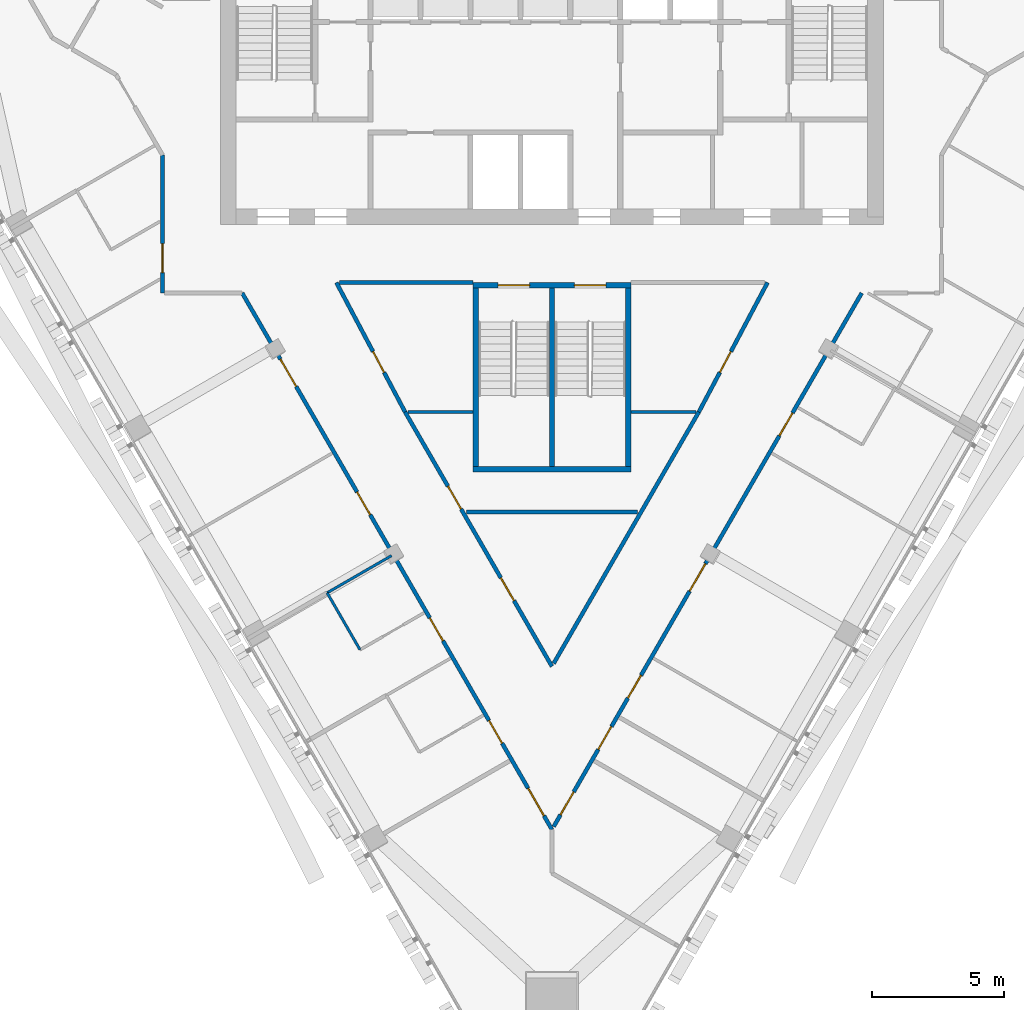
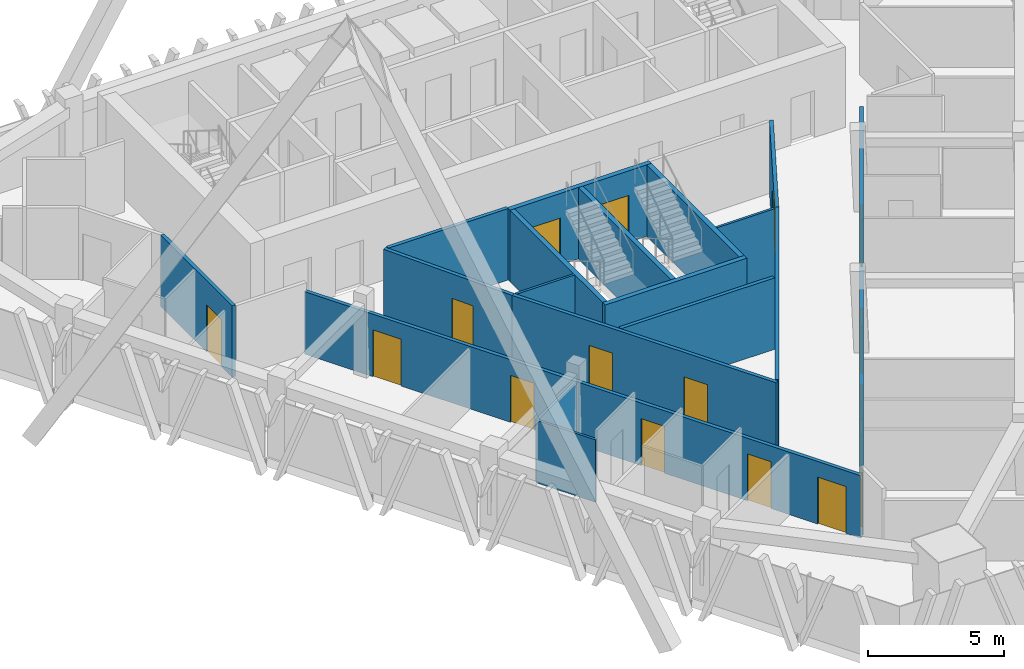
# One storey, part 16 of 22: 18 walls, 17 doors, 17 openings.
"""IFC4 building model written with IfcOpenShell, lengths in metres."""

from ifc_helpers import new_model, si_unit, direction, frame, frame_2d, origin, place, context, subcontext, project, spatial, rectangle, extrude, material, layer, layer_set, type_object, element, fill, save


model = new_model("IFC4")

# Units and contexts
model_context = context("Model", 3, precision=1e-05, world=origin(), true_north=direction((0.0, 1.0)))
body_context = subcontext(model_context, "Body", "Model", "MODEL_VIEW")
ifc_project = project(units=[si_unit("LENGTHUNIT", "METRE"), si_unit("AREAUNIT", "SQUARE_METRE"), si_unit("VOLUMEUNIT", "CUBIC_METRE"), si_unit("PLANEANGLEUNIT", "RADIAN"), si_unit("MASSUNIT", "GRAM", prefix="KILO")], contexts=[model_context])

# Site, building, storey
site_placement = place(None, origin())
site = spatial("IfcSite", under=ifc_project, at=site_placement, CompositionType="ELEMENT")
building_placement = place(site_placement, origin())
building = spatial("IfcBuilding", under=site, at=building_placement, Name="Altiplano Prism Tower", CompositionType="ELEMENT")
storey_placement = place(building_placement, frame((0.0, 0.0, 219.39990234375)))
storey = spatial("IfcBuildingStorey", under=building, at=storey_placement, Name="L56", CompositionType="ELEMENT", Elevation=219.39990234375)

# Walls
ifc_material_1 = material(Name="Plasterboard on steel stud", Category="steel")
ifc_layer_1 = layer(ifc_material_1, 0.10009765625)
ifc_layer_set_1 = layer_set([ifc_layer_1], Name="Plasterboard on steel stud")
wall_type_1 = type_object("IfcWallType", Name="Partition 100 unit", PredefinedType="PARTITIONING", material=ifc_layer_set_1)
wall_1_placement = place(storey_placement, frame((77.7060546875, 76.642333984375, 0.0), z_axis=(0.0, 0.0, 1.0), x_axis=(-0.500004234368, 0.866022959057, 0.0)))
element("IfcWall", 1, at=wall_1_placement, inside=storey, type_object=wall_type_1, Name="Partition P02 L56 036", PredefinedType="PARTITIONING", context=body_context, shape_type="SweptSolid", body=[
    extrude(rectangle(XDim=2.5, YDim=0.10009765625, at=frame_2d((1.25, 0.0))), origin(), (0.0, 0.0, 1.0), 2.800048828125),
])
ifc_layer_2 = layer(ifc_material_1, 0.10009765625)
ifc_layer_set_2 = layer_set([ifc_layer_2], Name="Plasterboard on steel stud")
wall_type_2 = type_object("IfcWallType", Name="Partition 100 wet", PredefinedType="PARTITIONING", material=ifc_layer_set_2)
for number, where, z_axis, x_axis, name in (
    (2, (79.5341796875, 85.67822265625, 0.0), (0.0, 0.0, 1.0), (1.0, 0.0, 0.0), "Partition P03 L56 022"),
    (3, (88.0, 85.67822265625, 0.0), (0.0, 0.0, 1.0), (1.0, 0.0, 0.0), "Partition P03 L56 023"),
):
    element("IfcWall", number, at=place(storey_placement, frame(where, z_axis=z_axis, x_axis=x_axis)), inside=storey, type_object=wall_type_2, Name=name, PredefinedType="PARTITIONING", context=body_context, shape_type="SweptSolid", body=[
        extrude(rectangle(XDim=2.4658203125, YDim=0.10009765625, at=frame_2d((1.23291015625, 0.0))), origin(), (0.0, 0.0, 1.0), 3.2001953125),
    ])
wall_2_placement = place(storey_placement, frame((76.4560546875, 78.807373046875, 0.0), z_axis=(0.0, 0.0, 1.0), x_axis=(0.866011447264, 0.500024172624, 0.0)))
element("IfcWall", 4, at=wall_2_placement, inside=storey, type_object=wall_type_2, Name="Partition P03 L56 034", PredefinedType="PARTITIONING", context=body_context, shape_type="SweptSolid", body=[
    extrude(rectangle(XDim=2.824951171875, YDim=0.10009765625, at=frame_2d((1.41259765625, 0.0))), origin(), (0.0, 0.0, 1.0), 2.800048828125),
])

# Wall, opening, door
ifc_layer_3 = layer(ifc_material_1, 0.14990234375)
ifc_layer_set_3 = layer_set([ifc_layer_3], Name="Plasterboard on steel stud")
wall_type_3 = type_object("IfcWallType", Name="Partition 150 corridor", PredefinedType="PARTITIONING", material=ifc_layer_set_3)
wall_3_placement = place(storey_placement, frame((79.418701171875, 85.67822265625, 0.0), z_axis=(0.0, 0.0, 1.0), x_axis=(-0.468745112337, 0.883333470248, 0.0)))
wall_3 = element("IfcWall", 5, at=wall_3_placement, inside=storey, type_object=wall_type_3, Name="Partition P06 L56 001", PredefinedType="PARTITIONING", context=body_context, shape_type="SweptSolid", body=[
    extrude(rectangle(XDim=5.572021484375, YDim=0.14990234375, at=frame_2d((2.7861328125, 0.0))), origin(), (0.0, 0.0, 1.0), 3.2001953125),
])
opening_1_placement = place(wall_3_placement, frame((1.701904296875, 0.0, 0.0)))
opening_1 = element("IfcOpeningElement", 6, at=opening_1_placement, cuts=wall_3, Name="Opening D1871", PredefinedType="OPENING", context=body_context, shape_type="SweptSolid", body=[
    extrude(rectangle(XDim=0.89990234375, YDim=2.10009765625, at=frame_2d((0.449951171875, 1.050048828125))), frame((0.0, 0.08544921875, 0.0), z_axis=(0.0, -1.0, 0.0), x_axis=(1.0, 0.0, 0.0)), (0.0, 0.0, 1.0), 0.1708984375),
])
ifc_material_2 = material(Name="Timber", Category="wood")
door_type_1 = type_object("IfcDoorType", Name="Toilet door 900 x 2100", OperationType="NOTDEFINED", PredefinedType="NOTDEFINED", material=ifc_material_2)
door_1_placement = place(opening_1_placement, origin())
door_1 = element("IfcDoor", 7, at=door_1_placement, inside=storey, type_object=door_type_1, Name="Door D1871", OperationType="SINGLE_SWING_LEFT", OverallHeight=2.10009765625, OverallWidth=0.89990234375, PredefinedType="NOTDEFINED", context=body_context, shape_type="SweptSolid", body=[
    extrude(rectangle(XDim=0.89990234375, YDim=2.10009765625, at=frame_2d((0.449951171875, 1.050048828125))), frame((0.0, 0.02490234375, 0.0), z_axis=(0.0, -1.0, 0.0), x_axis=(1.0, 0.0, 0.0)), (0.0, 0.0, 1.0), 0.050048828125),
])
fill(opening_1, door_1)

# Wall
wall_4_placement = place(storey_placement, frame((76.931640625, 90.60009765625, 0.0), z_axis=(0.0, 0.0, 1.0), x_axis=(1.0, 0.0, 0.0)))
element("IfcWall", 8, at=wall_4_placement, inside=storey, type_object=wall_type_3, Name="Partition P06 L56 002", PredefinedType="PARTITIONING", context=body_context, shape_type="SweptSolid", body=[
    extrude(rectangle(XDim=5.068359375, YDim=0.14990234375, at=frame_2d((2.5341796875, 0.0))), origin(), (0.0, 0.0, 1.0), 3.2001953125),
])

# Wall, opening, door
wall_5_placement = place(storey_placement, frame((93.193115234375, 90.60009765625, 0.0), z_axis=(0.0, 0.0, 1.0), x_axis=(-0.468745112337, -0.883333470248, 0.0)))
wall_5 = element("IfcWall", 9, at=wall_5_placement, inside=storey, type_object=wall_type_3, Name="Partition P06 L56 004", PredefinedType="PARTITIONING", context=body_context, shape_type="SweptSolid", body=[
    extrude(rectangle(XDim=5.572021484375, YDim=0.14990234375, at=frame_2d((2.7861328125, 0.0))), origin(), (0.0, 0.0, 1.0), 3.2001953125),
])
opening_2_placement = place(wall_5_placement, frame((2.968994140625, 0.0, 0.0)))
opening_2 = element("IfcOpeningElement", 10, at=opening_2_placement, cuts=wall_5, Name="Opening D1872", PredefinedType="OPENING", context=body_context, shape_type="SweptSolid", body=[
    extrude(rectangle(XDim=0.89990234375, YDim=2.10009765625, at=frame_2d((0.449951171875, 1.050048828125))), frame((0.0, 0.08544921875, 0.0), z_axis=(0.0, -1.0, 0.0), x_axis=(1.0, 0.0, 0.0)), (0.0, 0.0, 1.0), 0.1708984375),
])
door_2_placement = place(opening_2_placement, origin())
door_2 = element("IfcDoor", 11, at=door_2_placement, inside=storey, type_object=door_type_1, Name="Door D1872", OperationType="SINGLE_SWING_RIGHT", OverallHeight=2.10009765625, OverallWidth=0.89990234375, PredefinedType="NOTDEFINED", context=body_context, shape_type="SweptSolid", body=[
    extrude(rectangle(XDim=0.89990234375, YDim=2.10009765625, at=frame_2d((0.449951171875, 1.050048828125))), frame((0.0, 0.02490234375, 0.0), z_axis=(0.0, -1.0, 0.0), x_axis=(1.0, 0.0, 0.0)), (0.0, 0.0, 1.0), 0.050048828125),
])
fill(opening_2, door_2)

# Wall
wall_6_placement = place(storey_placement, frame((90.581298828125, 85.67822265625, 0.0), z_axis=(0.0, 0.0, 1.0), x_axis=(-0.499997010388, -0.866027129831, 0.0)))
element("IfcWall", 12, at=wall_6_placement, inside=storey, type_object=wall_type_3, Name="Partition P06 L56 005", PredefinedType="PARTITIONING", context=body_context, shape_type="SweptSolid", body=[
    extrude(rectangle(XDim=11.03271484375, YDim=0.14990234375, at=frame_2d((5.516357421875, 0.0))), origin(), (0.0, 0.0, 1.0), 3.2001953125),
])

# Wall, openings, doors
wall_7_placement = place(storey_placement, frame((85.0, 76.010986328125, 0.0), z_axis=(0.0, 0.0, 1.0), x_axis=(-0.499994445683, 0.866028610547, 0.0)))
wall_7 = element("IfcWall", 13, at=wall_7_placement, inside=storey, type_object=wall_type_3, Name="Partition P06 L56 006", PredefinedType="PARTITIONING", context=body_context, shape_type="SweptSolid", body=[
    extrude(rectangle(XDim=11.162841796875, YDim=0.14990234375, at=frame_2d((5.58154296875, 0.0))), origin(), (0.0, 0.0, 1.0), 3.2001953125),
])
opening_3_placement = place(wall_7_placement, frame((2.885986328125, 0.0, 0.0)))
opening_3 = element("IfcOpeningElement", 14, at=opening_3_placement, cuts=wall_7, Name="Opening D1873", PredefinedType="OPENING", context=body_context, shape_type="SweptSolid", body=[
    extrude(rectangle(XDim=1.0, YDim=2.10009765625, at=frame_2d((0.5, 1.050048828125))), frame((0.0, 0.08544921875, 0.0), z_axis=(0.0, -1.0, 0.0), x_axis=(1.0, 0.0, 0.0)), (0.0, 0.0, 1.0), 0.1708984375),
])
opening_4_placement = place(wall_7_placement, frame((6.907958984375, 0.0, 0.0)))
opening_4 = element("IfcOpeningElement", 15, at=opening_4_placement, cuts=wall_7, Name="Opening D1874", PredefinedType="OPENING", context=body_context, shape_type="SweptSolid", body=[
    extrude(rectangle(XDim=1.0, YDim=2.10009765625, at=frame_2d((0.5, 1.050048828125))), frame((0.0, 0.08544921875, 0.0), z_axis=(0.0, -1.0, 0.0), x_axis=(1.0, 0.0, 0.0)), (0.0, 0.0, 1.0), 0.1708984375),
])
door_type_2 = type_object("IfcDoorType", Name="Store door 1000 x 2100", OperationType="NOTDEFINED", PredefinedType="NOTDEFINED", material=ifc_material_2)
door_3_placement = place(opening_3_placement, origin())
door_3 = element("IfcDoor", 16, at=door_3_placement, inside=storey, type_object=door_type_2, Name="Door D1873", OperationType="SINGLE_SWING_RIGHT", OverallHeight=2.10009765625, OverallWidth=1.0, PredefinedType="NOTDEFINED", context=body_context, shape_type="SweptSolid", body=[
    extrude(rectangle(XDim=1.0, YDim=2.10009765625, at=frame_2d((0.5, 1.050048828125))), frame((0.0, 0.02490234375, 0.0), z_axis=(0.0, -1.0, 0.0), x_axis=(1.0, 0.0, 0.0)), (0.0, 0.0, 1.0), 0.050048828125),
])
fill(opening_3, door_3)
door_4_placement = place(opening_4_placement, origin())
door_4 = element("IfcDoor", 17, at=door_4_placement, inside=storey, type_object=door_type_2, Name="Door D1874", OperationType="SINGLE_SWING_RIGHT", OverallHeight=2.10009765625, OverallWidth=1.0, PredefinedType="NOTDEFINED", context=body_context, shape_type="SweptSolid", body=[
    extrude(rectangle(XDim=1.0, YDim=2.10009765625, at=frame_2d((0.5, 1.050048828125))), frame((0.0, 0.02490234375, 0.0), z_axis=(0.0, -1.0, 0.0), x_axis=(1.0, 0.0, 0.0)), (0.0, 0.0, 1.0), 0.050048828125),
])
fill(opening_4, door_4)

# Wall, opening, door
wall_8_placement = place(storey_placement, frame((70.199951171875, 95.443359375, 0.0), z_axis=(0.0, 0.0, 1.0), x_axis=(0.000139684312, -0.999999990244, 0.0)))
wall_8 = element("IfcWall", 18, at=wall_8_placement, inside=storey, type_object=wall_type_3, Name="Partition P06 L56 009", PredefinedType="PARTITIONING", context=body_context, shape_type="SweptSolid", body=[
    extrude(rectangle(XDim=5.243408203125, YDim=0.14990234375, at=frame_2d((2.62158203125, 0.0))), origin(), (0.0, 0.0, 1.0), 3.2001953125),
])
opening_5_placement = place(wall_8_placement, frame((3.364990234375, 0.0, 0.0)))
opening_5 = element("IfcOpeningElement", 19, at=opening_5_placement, cuts=wall_8, Name="Opening D1876", PredefinedType="OPENING", context=body_context, shape_type="SweptSolid", body=[
    extrude(rectangle(XDim=1.10009765625, YDim=2.10009765625, at=frame_2d((0.550048828125, 1.050048828125))), frame((0.0, 0.08544921875, 0.0), z_axis=(0.0, -1.0, 0.0), x_axis=(1.0, 0.0, 0.0)), (0.0, 0.0, 1.0), 0.1708984375),
])
door_type_3 = type_object("IfcDoorType", Name="Accessible bedroom door 1100 x 2100", OperationType="NOTDEFINED", PredefinedType="NOTDEFINED", material=ifc_material_2)
door_5_placement = place(opening_5_placement, origin())
door_5 = element("IfcDoor", 20, at=door_5_placement, inside=storey, type_object=door_type_3, Name="Door D1876", OperationType="SINGLE_SWING_LEFT", OverallHeight=2.10009765625, OverallWidth=1.10009765625, PredefinedType="NOTDEFINED", context=body_context, shape_type="SweptSolid", body=[
    extrude(rectangle(XDim=1.10009765625, YDim=2.10009765625, at=frame_2d((0.550048828125, 1.050048828125))), frame((0.0, 0.02490234375, 0.0), z_axis=(0.0, -1.0, 0.0), x_axis=(1.0, 0.0, 0.0)), (0.0, 0.0, 1.0), 0.050048828125),
])
fill(opening_5, door_5)

# Wall, openings, doors
wall_9_placement = place(storey_placement, frame((73.227294921875, 90.199951171875, 0.0), z_axis=(0.0, 0.0, 1.0), x_axis=(0.500000996717, -0.866024828329, 0.0)))
wall_9 = element("IfcWall", 21, at=wall_9_placement, inside=storey, type_object=wall_type_3, Name="Partition P06 L56 011", PredefinedType="PARTITIONING", context=body_context, shape_type="SweptSolid", body=[
    extrude(rectangle(XDim=23.54541015625, YDim=0.14990234375, at=frame_2d((11.772705078125, 0.0))), origin(), (0.0, 0.0, 1.0), 2.800048828125),
])
opening_6_placement = place(wall_9_placement, frame((2.902099609375, 0.0, 0.0)))
opening_6 = element("IfcOpeningElement", 22, at=opening_6_placement, cuts=wall_9, Name="Opening D1878", PredefinedType="OPENING", context=body_context, shape_type="SweptSolid", body=[
    extrude(rectangle(XDim=1.199951171875, YDim=2.10009765625, at=frame_2d((0.60009765625, 1.050048828125))), frame((0.0, 0.08544921875, 0.0), z_axis=(0.0, -1.0, 0.0), x_axis=(1.0, 0.0, 0.0)), (0.0, 0.0, 1.0), 0.1708984375),
])
opening_7_placement = place(wall_9_placement, frame((8.73095703125, 0.0, 0.0)))
opening_7 = element("IfcOpeningElement", 23, at=opening_7_placement, cuts=wall_9, Name="Opening D1879", PredefinedType="OPENING", context=body_context, shape_type="SweptSolid", body=[
    extrude(rectangle(XDim=1.0, YDim=2.10009765625, at=frame_2d((0.5, 1.050048828125))), frame((0.0, 0.08544921875, 0.0), z_axis=(0.0, -1.0, 0.0), x_axis=(1.0, 0.0, 0.0)), (0.0, 0.0, 1.0), 0.1708984375),
])
opening_8_placement = place(wall_9_placement, frame((14.260009765625, 0.0, 0.0)))
opening_8 = element("IfcOpeningElement", 24, at=opening_8_placement, cuts=wall_9, Name="Opening D1880", PredefinedType="OPENING", context=body_context, shape_type="SweptSolid", body=[
    extrude(rectangle(XDim=1.0, YDim=2.10009765625, at=frame_2d((0.5, 1.050048828125))), frame((0.0, 0.08544921875, 0.0), z_axis=(0.0, -1.0, 0.0), x_axis=(1.0, 0.0, 0.0)), (0.0, 0.0, 1.0), 0.1708984375),
])
opening_9_placement = place(wall_9_placement, frame((18.760009765625, 0.0, 0.0)))
opening_9 = element("IfcOpeningElement", 25, at=opening_9_placement, cuts=wall_9, Name="Opening D1882", PredefinedType="OPENING", context=body_context, shape_type="SweptSolid", body=[
    extrude(rectangle(XDim=1.0, YDim=2.10009765625, at=frame_2d((0.5, 1.050048828125))), frame((0.0, 0.08544921875, 0.0), z_axis=(0.0, -1.0, 0.0), x_axis=(1.0, 0.0, 0.0)), (0.0, 0.0, 1.0), 0.1708984375),
])
opening_10_placement = place(wall_9_placement, frame((21.735107421875, 0.0, 0.0)))
opening_10 = element("IfcOpeningElement", 26, at=opening_10_placement, cuts=wall_9, Name="Opening D1884", PredefinedType="OPENING", context=body_context, shape_type="SweptSolid", body=[
    extrude(rectangle(XDim=1.199951171875, YDim=2.10009765625, at=frame_2d((0.60009765625, 1.050048828125))), frame((0.0, 0.08544921875, 0.0), z_axis=(0.0, -1.0, 0.0), x_axis=(1.0, 0.0, 0.0)), (0.0, 0.0, 1.0), 0.1708984375),
])
door_type_4 = type_object("IfcDoorType", Name="Bedroom entrance door 1000 x 2100", OperationType="NOTDEFINED", PredefinedType="NOTDEFINED", material=ifc_material_2)
door_6_placement = place(opening_8_placement, origin())
door_6 = element("IfcDoor", 27, at=door_6_placement, inside=storey, type_object=door_type_4, Name="Door D1880", OperationType="SINGLE_SWING_RIGHT", OverallHeight=2.10009765625, OverallWidth=1.0, PredefinedType="NOTDEFINED", context=body_context, shape_type="SweptSolid", body=[
    extrude(rectangle(XDim=1.0, YDim=2.10009765625, at=frame_2d((0.5, 1.050048828125))), frame((0.0, 0.02490234375, 0.0), z_axis=(0.0, -1.0, 0.0), x_axis=(1.0, 0.0, 0.0)), (0.0, 0.0, 1.0), 0.050048828125),
])
fill(opening_8, door_6)
door_7_placement = place(opening_9_placement, origin())
door_7 = element("IfcDoor", 28, at=door_7_placement, inside=storey, type_object=door_type_4, Name="Door D1882", OperationType="SINGLE_SWING_RIGHT", OverallHeight=2.10009765625, OverallWidth=1.0, PredefinedType="NOTDEFINED", context=body_context, shape_type="SweptSolid", body=[
    extrude(rectangle(XDim=1.0, YDim=2.10009765625, at=frame_2d((0.5, 1.050048828125))), frame((0.0, 0.02490234375, 0.0), z_axis=(0.0, -1.0, 0.0), x_axis=(1.0, 0.0, 0.0)), (0.0, 0.0, 1.0), 0.050048828125),
])
fill(opening_9, door_7)
door_type_5 = type_object("IfcDoorType", Name="Room door 1000 x 2100", OperationType="NOTDEFINED", PredefinedType="NOTDEFINED", material=ifc_material_2)
door_8_placement = place(opening_7_placement, origin())
door_8 = element("IfcDoor", 29, at=door_8_placement, inside=storey, type_object=door_type_5, Name="Door D1879", OperationType="SINGLE_SWING_LEFT", OverallHeight=2.10009765625, OverallWidth=1.0, PredefinedType="NOTDEFINED", context=body_context, shape_type="SweptSolid", body=[
    extrude(rectangle(XDim=1.0, YDim=2.10009765625, at=frame_2d((0.5, 1.050048828125))), frame((0.0, 0.02490234375, 0.0), z_axis=(0.0, -1.0, 0.0), x_axis=(1.0, 0.0, 0.0)), (0.0, 0.0, 1.0), 0.050048828125),
])
fill(opening_7, door_8)
door_type_6 = type_object("IfcDoorType", Name="Shared room door 1200 x 2100", OperationType="NOTDEFINED", PredefinedType="NOTDEFINED", material=ifc_material_2)
door_9_placement = place(opening_6_placement, origin())
door_9 = element("IfcDoor", 30, at=door_9_placement, inside=storey, type_object=door_type_6, Name="Door D1878", OperationType="SINGLE_SWING_LEFT", OverallHeight=2.10009765625, OverallWidth=1.199951171875, PredefinedType="NOTDEFINED", context=body_context, shape_type="SweptSolid", body=[
    extrude(rectangle(XDim=1.199951171875, YDim=2.10009765625, at=frame_2d((0.60009765625, 1.050048828125))), frame((0.0, 0.02490234375, 0.0), z_axis=(0.0, -1.0, 0.0), x_axis=(1.0, 0.0, 0.0)), (0.0, 0.0, 1.0), 0.050048828125),
])
fill(opening_6, door_9)
door_10_placement = place(opening_10_placement, origin())
door_10 = element("IfcDoor", 31, at=door_10_placement, inside=storey, type_object=door_type_6, Name="Door D1884", OperationType="SINGLE_SWING_RIGHT", OverallHeight=2.10009765625, OverallWidth=1.199951171875, PredefinedType="NOTDEFINED", context=body_context, shape_type="SweptSolid", body=[
    extrude(rectangle(XDim=1.199951171875, YDim=2.10009765625, at=frame_2d((0.60009765625, 1.050048828125))), frame((0.0, 0.02490234375, 0.0), z_axis=(0.0, -1.0, 0.0), x_axis=(1.0, 0.0, 0.0)), (0.0, 0.0, 1.0), 0.050048828125),
])
fill(opening_10, door_10)

wall_10_placement = place(storey_placement, frame((85.06494140625, 69.921630859375, 0.0), z_axis=(0.0, 0.0, 1.0), x_axis=(0.500002241493, 0.866024109654, 0.0)))
wall_10 = element("IfcWall", 32, at=wall_10_placement, inside=storey, type_object=wall_type_3, Name="Partition P06 L56 012", PredefinedType="PARTITIONING", context=body_context, shape_type="SweptSolid", body=[
    extrude(rectangle(XDim=23.41552734375, YDim=0.14990234375, at=frame_2d((11.707763671875, 0.0))), origin(), (0.0, 0.0, 1.0), 2.800048828125),
])
opening_11_placement = place(wall_10_placement, frame((0.52197265625, 0.0, 0.0)))
opening_11 = element("IfcOpeningElement", 33, at=opening_11_placement, cuts=wall_10, Name="Opening D1885", PredefinedType="OPENING", context=body_context, shape_type="SweptSolid", body=[
    extrude(rectangle(XDim=1.0, YDim=2.10009765625, at=frame_2d((0.5, 1.050048828125))), frame((0.0, 0.08544921875, 0.0), z_axis=(0.0, -1.0, 0.0), x_axis=(1.0, 0.0, 0.0)), (0.0, 0.0, 1.0), 0.1708984375),
])
opening_12_placement = place(wall_10_placement, frame((3.389892578125, 0.0, 0.0)))
opening_12 = element("IfcOpeningElement", 34, at=opening_12_placement, cuts=wall_10, Name="Opening D1886", PredefinedType="OPENING", context=body_context, shape_type="SweptSolid", body=[
    extrude(rectangle(XDim=1.0, YDim=2.10009765625, at=frame_2d((0.5, 1.050048828125))), frame((0.0, 0.08544921875, 0.0), z_axis=(0.0, -1.0, 0.0), x_axis=(1.0, 0.0, 0.0)), (0.0, 0.0, 1.0), 0.1708984375),
])
opening_13_placement = place(wall_10_placement, frame((5.639892578125, 0.0, 0.0)))
opening_13 = element("IfcOpeningElement", 35, at=opening_13_placement, cuts=wall_10, Name="Opening D1887", PredefinedType="OPENING", context=body_context, shape_type="SweptSolid", body=[
    extrude(rectangle(XDim=1.0, YDim=2.10009765625, at=frame_2d((0.5, 1.050048828125))), frame((0.0, 0.08544921875, 0.0), z_axis=(0.0, -1.0, 0.0), x_axis=(1.0, 0.0, 0.0)), (0.0, 0.0, 1.0), 0.1708984375),
])
opening_14_placement = place(wall_10_placement, frame((10.3349609375, 0.0, 0.0)))
opening_14 = element("IfcOpeningElement", 36, at=opening_14_placement, cuts=wall_10, Name="Opening D1888", PredefinedType="OPENING", context=body_context, shape_type="SweptSolid", body=[
    extrude(rectangle(XDim=1.199951171875, YDim=2.10009765625, at=frame_2d((0.60009765625, 1.050048828125))), frame((0.0, 0.08544921875, 0.0), z_axis=(0.0, -1.0, 0.0), x_axis=(1.0, 0.0, 0.0)), (0.0, 0.0, 1.0), 0.1708984375),
])
opening_15_placement = place(wall_10_placement, frame((17.155029296875, 0.0, 0.0)))
opening_15 = element("IfcOpeningElement", 37, at=opening_15_placement, cuts=wall_10, Name="Opening D1889", PredefinedType="OPENING", context=body_context, shape_type="SweptSolid", body=[
    extrude(rectangle(XDim=1.0, YDim=2.10009765625, at=frame_2d((0.5, 1.050048828125))), frame((0.0, 0.08544921875, 0.0), z_axis=(0.0, -1.0, 0.0), x_axis=(1.0, 0.0, 0.0)), (0.0, 0.0, 1.0), 0.1708984375),
])
door_11_placement = place(opening_15_placement, origin())
door_11 = element("IfcDoor", 38, at=door_11_placement, inside=storey, type_object=door_type_4, Name="Door D1889", OperationType="SINGLE_SWING_LEFT", OverallHeight=2.10009765625, OverallWidth=1.0, PredefinedType="NOTDEFINED", context=body_context, shape_type="SweptSolid", body=[
    extrude(rectangle(XDim=1.0, YDim=2.10009765625, at=frame_2d((0.5, 1.050048828125))), frame((0.0, 0.02490234375, 0.0), z_axis=(0.0, -1.0, 0.0), x_axis=(1.0, 0.0, 0.0)), (0.0, 0.0, 1.0), 0.050048828125),
])
fill(opening_15, door_11)
door_12_placement = place(opening_11_placement, origin())
door_12 = element("IfcDoor", 39, at=door_12_placement, inside=storey, type_object=door_type_5, Name="Door D1885", OperationType="SINGLE_SWING_RIGHT", OverallHeight=2.10009765625, OverallWidth=1.0, PredefinedType="NOTDEFINED", context=body_context, shape_type="SweptSolid", body=[
    extrude(rectangle(XDim=1.0, YDim=2.10009765625, at=frame_2d((0.5, 1.050048828125))), frame((0.0, 0.02490234375, 0.0), z_axis=(0.0, -1.0, 0.0), x_axis=(1.0, 0.0, 0.0)), (0.0, 0.0, 1.0), 0.050048828125),
])
fill(opening_11, door_12)
door_13_placement = place(opening_14_placement, origin())
door_13 = element("IfcDoor", 40, at=door_13_placement, inside=storey, type_object=door_type_6, Name="Door D1888", OperationType="SINGLE_SWING_RIGHT", OverallHeight=2.10009765625, OverallWidth=1.199951171875, PredefinedType="NOTDEFINED", context=body_context, shape_type="SweptSolid", body=[
    extrude(rectangle(XDim=1.199951171875, YDim=2.10009765625, at=frame_2d((0.60009765625, 1.050048828125))), frame((0.0, 0.02490234375, 0.0), z_axis=(0.0, -1.0, 0.0), x_axis=(1.0, 0.0, 0.0)), (0.0, 0.0, 1.0), 0.050048828125),
])
fill(opening_14, door_13)
door_14_placement = place(opening_12_placement, origin())
door_14 = element("IfcDoor", 41, at=door_14_placement, inside=storey, type_object=door_type_2, Name="Door D1886", OperationType="SINGLE_SWING_RIGHT", OverallHeight=2.10009765625, OverallWidth=1.0, PredefinedType="NOTDEFINED", context=body_context, shape_type="SweptSolid", body=[
    extrude(rectangle(XDim=1.0, YDim=2.10009765625, at=frame_2d((0.5, 1.050048828125))), frame((0.0, 0.02490234375, 0.0), z_axis=(0.0, -1.0, 0.0), x_axis=(1.0, 0.0, 0.0)), (0.0, 0.0, 1.0), 0.050048828125),
])
fill(opening_12, door_14)
door_15_placement = place(opening_13_placement, origin())
door_15 = element("IfcDoor", 42, at=door_15_placement, inside=storey, type_object=door_type_2, Name="Door D1887", OperationType="SINGLE_SWING_RIGHT", OverallHeight=2.10009765625, OverallWidth=1.0, PredefinedType="NOTDEFINED", context=body_context, shape_type="SweptSolid", body=[
    extrude(rectangle(XDim=1.0, YDim=2.10009765625, at=frame_2d((0.5, 1.050048828125))), frame((0.0, 0.02490234375, 0.0), z_axis=(0.0, -1.0, 0.0), x_axis=(1.0, 0.0, 0.0)), (0.0, 0.0, 1.0), 0.050048828125),
])
fill(opening_13, door_15)

# Wall
ifc_layer_4 = layer(ifc_material_1, 0.14990234375)
ifc_layer_set_4 = layer_set([ifc_layer_4], Name="Plasterboard on steel stud")
wall_type_4 = type_object("IfcWallType", Name="Partition 150 party", PredefinedType="PARTITIONING", material=ifc_layer_set_4)
wall_11_placement = place(storey_placement, frame((88.256103515625, 81.8759765625, 0.0), z_axis=(0.0, 0.0, 1.0), x_axis=(-1.0, 0.0, 0.0)))
element("IfcWall", 43, at=wall_11_placement, inside=storey, type_object=wall_type_4, Name="Partition P01 L56 024", PredefinedType="PARTITIONING", context=body_context, shape_type="SweptSolid", body=[
    extrude(rectangle(XDim=6.51220703125, YDim=0.14990234375, at=frame_2d((3.256103515625, 0.0))), origin(), (0.0, 0.0, 1.0), 3.2001953125),
])

# Wall, openings, doors
ifc_material_3 = material(Name="Concrete C60/75", Category="concrete")
ifc_layer_5 = layer(ifc_material_3, 0.199951171875)
ifc_layer_set_5 = layer_set([ifc_layer_5], Name="Concrete C60/75")
wall_type_5 = type_object("IfcWallType", Name="Stair wall 200", PredefinedType="SOLIDWALL", material=ifc_layer_set_5)
wall_12_placement = place(storey_placement, frame((82.0, 90.5, 0.0), z_axis=(0.0, 0.0, 1.0), x_axis=(1.0, 0.0, 0.0)))
wall_12 = element("IfcWall", 44, at=wall_12_placement, inside=storey, type_object=wall_type_5, Name="Stair 3 wall north L56", PredefinedType="SOLIDWALL", context=body_context, shape_type="SweptSolid", body=[
    extrude(rectangle(XDim=6.0, YDim=0.199951171875, at=frame_2d((3.0, 0.0))), origin(), (0.0, 0.0, 1.0), 3.2001953125),
])
opening_16_placement = place(wall_12_placement, frame((0.949951171875, 0.0, 0.0)))
opening_16 = element("IfcOpeningElement", 45, at=opening_16_placement, cuts=wall_12, Name="Opening D4034", PredefinedType="OPENING", context=body_context, shape_type="SweptSolid", body=[
    extrude(rectangle(XDim=1.199951171875, YDim=2.10009765625, at=frame_2d((0.60009765625, 1.050048828125))), frame((0.0, 0.1103515625, 0.0), z_axis=(0.0, -1.0, 0.0), x_axis=(1.0, 0.0, 0.0)), (0.0, 0.0, 1.0), 0.220947265625),
])
opening_17_placement = place(wall_12_placement, frame((3.85009765625, 0.0, 0.0)))
opening_17 = element("IfcOpeningElement", 46, at=opening_17_placement, cuts=wall_12, Name="Opening D4035", PredefinedType="OPENING", context=body_context, shape_type="SweptSolid", body=[
    extrude(rectangle(XDim=1.199951171875, YDim=2.10009765625, at=frame_2d((0.60009765625, 1.050048828125))), frame((0.0, 0.1103515625, 0.0), z_axis=(0.0, -1.0, 0.0), x_axis=(1.0, 0.0, 0.0)), (0.0, 0.0, 1.0), 0.220947265625),
])
ifc_material_4 = material(Name="Fire-rated steel door", Category="steel")
door_type_7 = type_object("IfcDoorType", Name="Stair fire door 1200 x 2100", OperationType="NOTDEFINED", PredefinedType="NOTDEFINED", material=ifc_material_4)
door_16_placement = place(opening_16_placement, origin())
door_16 = element("IfcDoor", 47, at=door_16_placement, inside=storey, type_object=door_type_7, Name="Stair fire door D4034", OperationType="SINGLE_SWING_LEFT", OverallHeight=2.10009765625, OverallWidth=1.199951171875, PredefinedType="NOTDEFINED", context=body_context, shape_type="SweptSolid", body=[
    extrude(rectangle(XDim=1.199951171875, YDim=2.10009765625, at=frame_2d((0.60009765625, 1.050048828125))), frame((0.0, 0.02490234375, 0.0), z_axis=(0.0, -1.0, 0.0), x_axis=(1.0, 0.0, 0.0)), (0.0, 0.0, 1.0), 0.050048828125),
])
fill(opening_16, door_16)
door_17_placement = place(opening_17_placement, origin())
door_17 = element("IfcDoor", 48, at=door_17_placement, inside=storey, type_object=door_type_7, Name="Stair fire door D4035", OperationType="SINGLE_SWING_LEFT", OverallHeight=2.10009765625, OverallWidth=1.199951171875, PredefinedType="NOTDEFINED", context=body_context, shape_type="SweptSolid", body=[
    extrude(rectangle(XDim=1.199951171875, YDim=2.10009765625, at=frame_2d((0.60009765625, 1.050048828125))), frame((0.0, 0.02490234375, 0.0), z_axis=(0.0, -1.0, 0.0), x_axis=(1.0, 0.0, 0.0)), (0.0, 0.0, 1.0), 0.050048828125),
])
fill(opening_17, door_17)

# Walls
wall_13_placement = place(storey_placement, frame((82.0, 83.5, 0.0), z_axis=(0.0, 0.0, 1.0), x_axis=(1.0, 0.0, 0.0)))
element("IfcWall", 49, at=wall_13_placement, inside=storey, type_object=wall_type_5, Name="Stair 3 wall south L56", PredefinedType="SOLIDWALL", context=body_context, shape_type="SweptSolid", body=[
    extrude(rectangle(XDim=6.0, YDim=0.199951171875, at=frame_2d((3.0, 0.0))), origin(), (0.0, 0.0, 1.0), 3.2001953125),
])
for number, where, z_axis, x_axis, name in (
    (50, (82.10009765625, 83.60009765625, 0.0), (0.0, 0.0, 1.0), (0.0, 1.0, 0.0), "Stair 3 wall west L56"),
    (51, (87.89990234375, 83.60009765625, 0.0), (0.0, 0.0, 1.0), (0.0, 1.0, 0.0), "Stair 3 wall east L56"),
    (52, (85.0, 83.60009765625, 0.0), (0.0, 0.0, 1.0), (0.0, 1.0, 0.0), "Stair 3 wall divider L56"),
):
    element("IfcWall", number, at=place(storey_placement, frame(where, z_axis=z_axis, x_axis=x_axis)), inside=storey, type_object=wall_type_5, Name=name, PredefinedType="SOLIDWALL", context=body_context, shape_type="SweptSolid", body=[
        extrude(rectangle(XDim=6.7998046875, YDim=0.199951171875, at=frame_2d((3.39990234375, 0.0))), origin(), (0.0, 0.0, 1.0), 3.2001953125),
    ])

save(model, "model.ifc")
